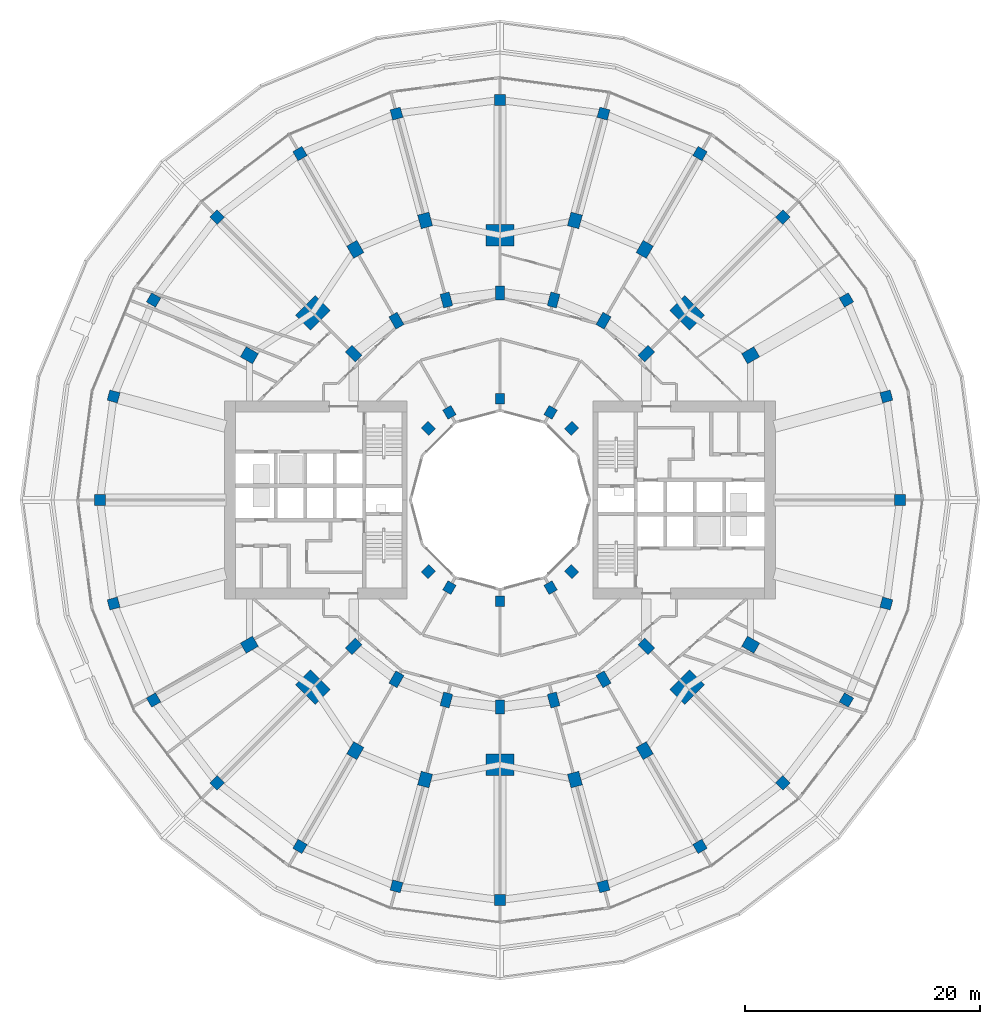
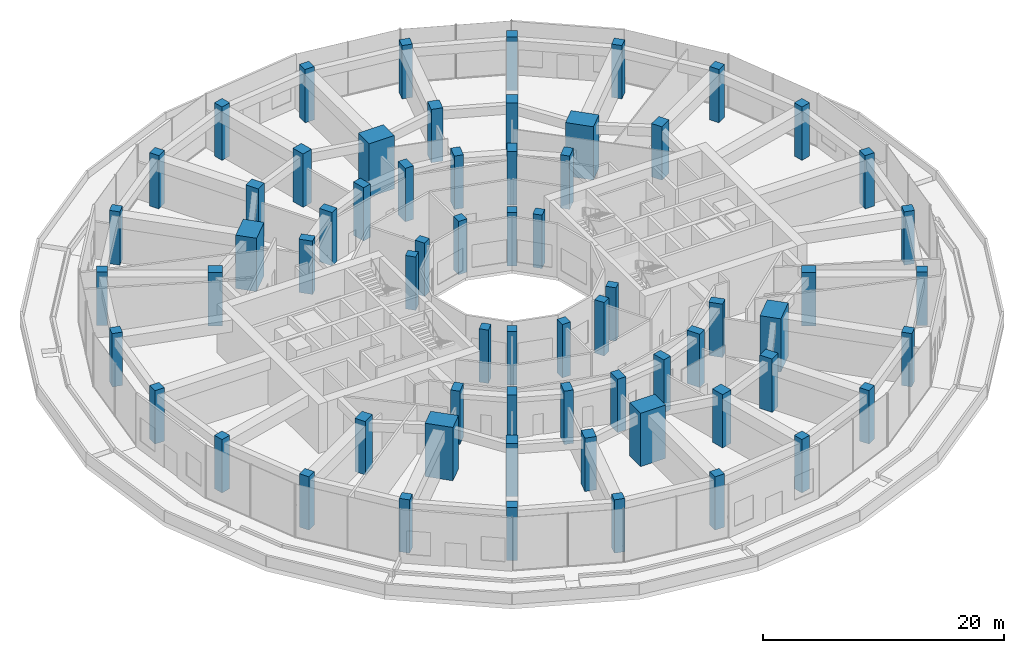
# One storey, part 1 of 26: 66 columns.
"""IFC4 building model written with IfcOpenShell, lengths in metres."""

from ifc_helpers import new_model, si_unit, direction, frame, origin, origin_2d, place, context, subcontext, project, spatial, rectangle, extrude, material, material_profile, profile_set, type_object, element, save


model = new_model("IFC4")

# Units and contexts
model_context = context("Model", 3, precision=1e-05, world=origin(), true_north=direction((0.0, 1.0)))
body_context = subcontext(model_context, "Body", "Model", "MODEL_VIEW")
ifc_project = project(units=[si_unit("LENGTHUNIT", "METRE"), si_unit("AREAUNIT", "SQUARE_METRE"), si_unit("VOLUMEUNIT", "CUBIC_METRE"), si_unit("PLANEANGLEUNIT", "RADIAN"), si_unit("MASSUNIT", "GRAM", prefix="KILO")], contexts=[model_context])

# Site, building, storey
site_placement = place(None, origin())
site = spatial("IfcSite", under=ifc_project, at=site_placement, CompositionType="ELEMENT")
building_placement = place(site_placement, origin())
building = spatial("IfcBuilding", under=site, at=building_placement, Name="Torre Brocal", CompositionType="ELEMENT")
storey_placement = place(building_placement, frame((0.0, 0.0, 12.39990234375)))
storey = spatial("IfcBuildingStorey", under=building, at=storey_placement, Name="L02", CompositionType="ELEMENT", Elevation=12.39990234375)

# Columns
ifc_material_1 = material(Name="Concrete C80", Category="concrete")
ifc_material_profile_1 = material_profile(ifc_material_1, rectangle(XDim=1.199951171875, YDim=1.0, at=origin_2d()), Name="RC 1200X1000")
ifc_profile_set_1 = profile_set([ifc_material_profile_1], Name="Concrete C80")
column_type_1 = type_object("IfcColumnType", Name="RC COLUMN 1200X1000 C80", PredefinedType="COLUMN", material=ifc_profile_set_1)
for number, where, z_axis, x_axis, name in (
    (1, (101.30419921875, 87.300048828125, 0.0), (0.0, 0.0, 1.0), (0.866025403784, 0.5, 0.0), "Column C-O02"),
    (2, (92.300048828125, 96.30419921875, 0.0), (0.0, 0.0, 1.0), (0.5, 0.866025403784, 0.0), "Column C-O04"),
    (3, (86.366943359375, 98.76171875, 0.0), (0.0, 0.0, 1.0), (0.258819045103, 0.965925826289, 0.0), "Column C-O05"),
    (4, (73.633056640625, 98.76171875, 0.0), (0.0, 0.0, 1.0), (-0.258819045103, 0.965925826289, 0.0), "Column C-O07"),
    (5, (67.699951171875, 96.30419921875, 0.0), (0.0, 0.0, 1.0), (-0.5, 0.866025403784, 0.0), "Column C-O08"),
    (6, (58.69580078125, 87.300048828125, 0.0), (0.0, 0.0, 1.0), (-0.866025403784, 0.5, 0.0), "Column C-O10"),
    (7, (58.69580078125, 62.699951171875, 0.0), (0.0, 0.0, 1.0), (-0.866025403784, -0.5, 0.0), "Column C-O14"),
    (8, (67.699951171875, 53.69580078125, 0.0), (0.0, 0.0, 1.0), (-0.5, -0.866025403784, 0.0), "Column C-O16"),
    (9, (73.633056640625, 51.23828125, 0.0), (0.0, 0.0, 1.0), (-0.258819045103, -0.965925826289, 0.0), "Column C-O17"),
    (10, (86.366943359375, 51.23828125, 0.0), (0.0, 0.0, 1.0), (0.258819045103, -0.965925826289, 0.0), "Column C-O19"),
    (11, (92.300048828125, 53.69580078125, 0.0), (0.0, 0.0, 1.0), (0.5, -0.866025403784, 0.0), "Column C-O20"),
    (12, (101.30419921875, 62.699951171875, 0.0), (0.0, 0.0, 1.0), (0.866025403784, -0.5, 0.0), "Column C-O22"),
):
    element("IfcColumn", number, at=place(storey_placement, frame(where, z_axis=z_axis, x_axis=x_axis)), inside=storey, type_object=column_type_1, Name=name, PredefinedType="COLUMN", context=body_context, shape_type="SweptSolid", body=[
        extrude(rectangle(XDim=1.199951171875, YDim=1.0, at=origin_2d()), origin(), (0.0, 0.0, 1.0), 5.400146484375),
    ])
ifc_material_2 = material(Name="Concrete C80", Category="concrete")
ifc_material_profile_2 = material_profile(ifc_material_2, rectangle(XDim=1.199951171875, YDim=0.800048828125, at=origin_2d()), Name="RC 1200X800")
ifc_profile_set_2 = profile_set([ifc_material_profile_2], Name="Concrete C80")
column_type_2 = type_object("IfcColumnType", Name="RC COLUMN 1200X800 C80", PredefinedType="COLUMN", material=ifc_profile_set_2)
for number, where, z_axis, x_axis, name in (
    (13, (92.445068359375, 87.445068359375, 0.0), (0.0, 0.0, 1.0), (0.707106781187, 0.707106781187, 0.0), "Column C-M03"),
    (14, (88.800048828125, 90.241943359375, 0.0), (0.0, 0.0, 1.0), (0.5, 0.866025403784, 0.0), "Column C-M04"),
    (15, (84.55517578125, 92.000244140625, 0.0), (0.0, 0.0, 1.0), (0.258819045103, 0.965925826289, 0.0), "Column C-M05"),
    (16, (80.0, 92.60009765625, 0.0), (0.0, 0.0, 1.0), (0.0, 1.0, 0.0), "Column C-M06"),
    (17, (75.44482421875, 92.000244140625, 0.0), (0.0, 0.0, 1.0), (-0.258819045103, 0.965925826289, 0.0), "Column C-M07"),
    (18, (71.199951171875, 90.241943359375, 0.0), (0.0, 0.0, 1.0), (-0.5, 0.866025403784, 0.0), "Column C-M08"),
    (19, (67.554931640625, 87.445068359375, 0.0), (0.0, 0.0, 1.0), (-0.707106781187, 0.707106781187, 0.0), "Column C-M09"),
    (20, (67.554931640625, 62.554931640625, 0.0), (0.0, 0.0, 1.0), (-0.707106781187, -0.707106781187, 0.0), "Column C-M15"),
    (21, (71.199951171875, 59.758056640625, 0.0), (0.0, 0.0, 1.0), (-0.5, -0.866025403784, 0.0), "Column C-M16"),
    (22, (75.44482421875, 57.999755859375, 0.0), (0.0, 0.0, 1.0), (-0.258819045103, -0.965925826289, 0.0), "Column C-M17"),
    (23, (80.0, 57.39990234375, 0.0), (0.0, 0.0, 1.0), (0.0, -1.0, 0.0), "Column C-M18"),
    (24, (84.55517578125, 57.999755859375, 0.0), (0.0, 0.0, 1.0), (0.258819045103, -0.965925826289, 0.0), "Column C-M19"),
    (25, (88.800048828125, 59.758056640625, 0.0), (0.0, 0.0, 1.0), (0.5, -0.866025403784, 0.0), "Column C-M20"),
    (26, (92.445068359375, 62.554931640625, 0.0), (0.0, 0.0, 1.0), (0.707106781187, -0.707106781187, 0.0), "Column C-M21"),
):
    element("IfcColumn", number, at=place(storey_placement, frame(where, z_axis=z_axis, x_axis=x_axis)), inside=storey, type_object=column_type_2, Name=name, PredefinedType="COLUMN", context=body_context, shape_type="SweptSolid", body=[
        extrude(rectangle(XDim=1.199951171875, YDim=0.800048828125, at=origin_2d()), origin(), (0.0, 0.0, 1.0), 5.400146484375),
    ])
ifc_material_3 = material(Name="Concrete C80", Category="concrete")
ifc_material_profile_3 = material_profile(ifc_material_3, rectangle(XDim=1.800048828125, YDim=2.39990234375, at=origin_2d()), Name="RC 1800X2400")
ifc_profile_set_3 = profile_set([ifc_material_profile_3], Name="Concrete C80")
column_type_3 = type_object("IfcColumnType", Name="RC COLUMN 1800X2400 C80", PredefinedType="COLUMN", material=ifc_profile_set_3)
for number, where, z_axis, x_axis, name in (
    (27, (95.909912109375, 90.909912109375, 0.0), (0.0, 0.0, 1.0), (0.707106781187, 0.707106781187, 0.0), "Column MC-1"),
    (28, (80.0, 97.5, 0.0), (0.0, 0.0, 1.0), (0.0, 1.0, 0.0), "Column MC-2"),
    (29, (64.090087890625, 90.909912109375, 0.0), (0.0, 0.0, 1.0), (-0.707106781187, 0.707106781187, 0.0), "Column MC-3"),
    (30, (64.090087890625, 59.090087890625, 0.0), (0.0, 0.0, 1.0), (-0.707106781187, -0.707106781187, 0.0), "Column MC-5"),
    (31, (80.0, 52.5, 0.0), (0.0, 0.0, 1.0), (0.0, -1.0, 0.0), "Column MC-6"),
    (32, (95.909912109375, 59.090087890625, 0.0), (0.0, 0.0, 1.0), (0.707106781187, -0.707106781187, 0.0), "Column MC-7"),
):
    element("IfcColumn", number, at=place(storey_placement, frame(where, z_axis=z_axis, x_axis=x_axis)), inside=storey, type_object=column_type_3, Name=name, PredefinedType="COLUMN", context=body_context, shape_type="SweptSolid", body=[
        extrude(rectangle(XDim=1.800048828125, YDim=2.39990234375, at=origin_2d()), origin(), (0.0, 0.0, 1.0), 5.400146484375),
    ])
ifc_material_4 = material(Name="Concrete C80", Category="concrete")
ifc_material_profile_4 = material_profile(ifc_material_4, rectangle(XDim=0.89990234375, YDim=0.800048828125, at=origin_2d()), Name="RC 900X800")
ifc_profile_set_4 = profile_set([ifc_material_profile_4], Name="Concrete C80")
column_type_4 = type_object("IfcColumnType", Name="RC COLUMN 900X800 C80", PredefinedType="COLUMN", material=ifc_profile_set_4)
for number, where, z_axis, x_axis, name in (
    (33, (86.0810546875, 81.0810546875, 0.0), (0.0, 0.0, 1.0), (0.707106781187, 0.707106781187, 0.0), "Column C-I03"),
    (34, (84.300048828125, 82.44775390625, 0.0), (0.0, 0.0, 1.0), (0.5, 0.866025403784, 0.0), "Column C-I04"),
    (35, (80.0, 83.60009765625, 0.0), (0.0, 0.0, 1.0), (0.0, 1.0, 0.0), "Column C-I06"),
    (36, (75.699951171875, 82.44775390625, 0.0), (0.0, 0.0, 1.0), (-0.5, 0.866025403784, 0.0), "Column C-I08"),
    (37, (73.9189453125, 81.0810546875, 0.0), (0.0, 0.0, 1.0), (-0.707106781187, 0.707106781187, 0.0), "Column C-I09"),
    (38, (73.9189453125, 68.9189453125, 0.0), (0.0, 0.0, 1.0), (-0.707106781187, -0.707106781187, 0.0), "Column C-I15"),
    (39, (75.699951171875, 67.55224609375, 0.0), (0.0, 0.0, 1.0), (-0.5, -0.866025403784, 0.0), "Column C-I16"),
    (40, (80.0, 66.39990234375, 0.0), (0.0, 0.0, 1.0), (0.0, -1.0, 0.0), "Column C-I18"),
    (41, (84.300048828125, 67.55224609375, 0.0), (0.0, 0.0, 1.0), (0.5, -0.866025403784, 0.0), "Column C-I20"),
    (42, (86.0810546875, 68.9189453125, 0.0), (0.0, 0.0, 1.0), (0.707106781187, -0.707106781187, 0.0), "Column C-I21"),
):
    element("IfcColumn", number, at=place(storey_placement, frame(where, z_axis=z_axis, x_axis=x_axis)), inside=storey, type_object=column_type_4, Name=name, PredefinedType="COLUMN", context=body_context, shape_type="SweptSolid", body=[
        extrude(rectangle(XDim=0.89990234375, YDim=0.800048828125, at=origin_2d()), origin(), (0.0, 0.0, 1.0), 5.400146484375),
    ])
ifc_material_5 = material(Name="Concrete C80", Category="concrete")
ifc_material_profile_5 = material_profile(ifc_material_5, rectangle(XDim=0.89990234375, YDim=0.89990234375, at=origin_2d()), Name="RC 900X900")
ifc_profile_set_5 = profile_set([ifc_material_profile_5], Name="Concrete C80")
column_type_5 = type_object("IfcColumnType", Name="RC COLUMN 900X900 C80", PredefinedType="COLUMN", material=ifc_profile_set_5)
for number, where, z_axis, x_axis, name in (
    (43, (114.0, 75.0, 0.0), (0.0, 0.0, 1.0), (1.0, 0.0, 0.0), "Column C-PC00"),
    (44, (112.841552734375, 83.7998046875, 0.0), (0.0, 0.0, 1.0), (0.965925826289, 0.258819045103, 0.0), "Column C-PC01"),
    (45, (109.44482421875, 92.0, 0.0), (0.0, 0.0, 1.0), (0.866025403784, 0.5, 0.0), "Column C-PC02"),
    (46, (104.041748046875, 99.041748046875, 0.0), (0.0, 0.0, 1.0), (0.707106781187, 0.707106781187, 0.0), "Column C-PC03"),
    (47, (97.0, 104.44482421875, 0.0), (0.0, 0.0, 1.0), (0.5, 0.866025403784, 0.0), "Column C-PC04"),
    (48, (88.7998046875, 107.841552734375, 0.0), (0.0, 0.0, 1.0), (0.258819045103, 0.965925826289, 0.0), "Column C-PC05"),
    (49, (80.0, 109.0, 0.0), (0.0, 0.0, 1.0), (0.0, 1.0, 0.0), "Column C-PC06"),
    (50, (71.2001953125, 107.841552734375, 0.0), (0.0, 0.0, 1.0), (-0.258819045103, 0.965925826289, 0.0), "Column C-PC07"),
    (51, (63.0, 104.44482421875, 0.0), (0.0, 0.0, 1.0), (-0.5, 0.866025403784, 0.0), "Column C-PC08"),
    (52, (55.958251953125, 99.041748046875, 0.0), (0.0, 0.0, 1.0), (-0.707106781187, 0.707106781187, 0.0), "Column C-PC09"),
    (53, (50.55517578125, 92.0, 0.0), (0.0, 0.0, 1.0), (-0.866025403784, 0.5, 0.0), "Column C-PC10"),
    (54, (47.158447265625, 83.7998046875, 0.0), (0.0, 0.0, 1.0), (-0.965925826289, 0.258819045103, 0.0), "Column C-PC11"),
    (55, (46.0, 75.0, 0.0), (0.0, 0.0, 1.0), (-1.0, 0.0, 0.0), "Column C-PC12"),
    (56, (47.158447265625, 66.2001953125, 0.0), (0.0, 0.0, 1.0), (-0.965925826289, -0.258819045103, 0.0), "Column C-PC13"),
    (57, (50.55517578125, 58.0, 0.0), (0.0, 0.0, 1.0), (-0.866025403784, -0.5, 0.0), "Column C-PC14"),
    (58, (55.958251953125, 50.958251953125, 0.0), (0.0, 0.0, 1.0), (-0.707106781187, -0.707106781187, 0.0), "Column C-PC15"),
    (59, (63.0, 45.55517578125, 0.0), (0.0, 0.0, 1.0), (-0.5, -0.866025403784, 0.0), "Column C-PC16"),
    (60, (71.2001953125, 42.158447265625, 0.0), (0.0, 0.0, 1.0), (-0.258819045103, -0.965925826289, 0.0), "Column C-PC17"),
    (61, (80.0, 41.0, 0.0), (0.0, 0.0, 1.0), (0.0, -1.0, 0.0), "Column C-PC18"),
    (62, (88.7998046875, 42.158447265625, 0.0), (0.0, 0.0, 1.0), (0.258819045103, -0.965925826289, 0.0), "Column C-PC19"),
    (63, (97.0, 45.55517578125, 0.0), (0.0, 0.0, 1.0), (0.5, -0.866025403784, 0.0), "Column C-PC20"),
    (64, (104.041748046875, 50.958251953125, 0.0), (0.0, 0.0, 1.0), (0.707106781187, -0.707106781187, 0.0), "Column C-PC21"),
    (65, (109.44482421875, 58.0, 0.0), (0.0, 0.0, 1.0), (0.866025403784, -0.5, 0.0), "Column C-PC22"),
    (66, (112.841552734375, 66.2001953125, 0.0), (0.0, 0.0, 1.0), (0.965925826289, -0.258819045103, 0.0), "Column C-PC23"),
):
    element("IfcColumn", number, at=place(storey_placement, frame(where, z_axis=z_axis, x_axis=x_axis)), inside=storey, type_object=column_type_5, Name=name, PredefinedType="COLUMN", context=body_context, shape_type="SweptSolid", body=[
        extrude(rectangle(XDim=0.89990234375, YDim=0.89990234375, at=origin_2d()), origin(), (0.0, 0.0, 1.0), 5.400146484375),
    ])

save(model, "model.ifc")
